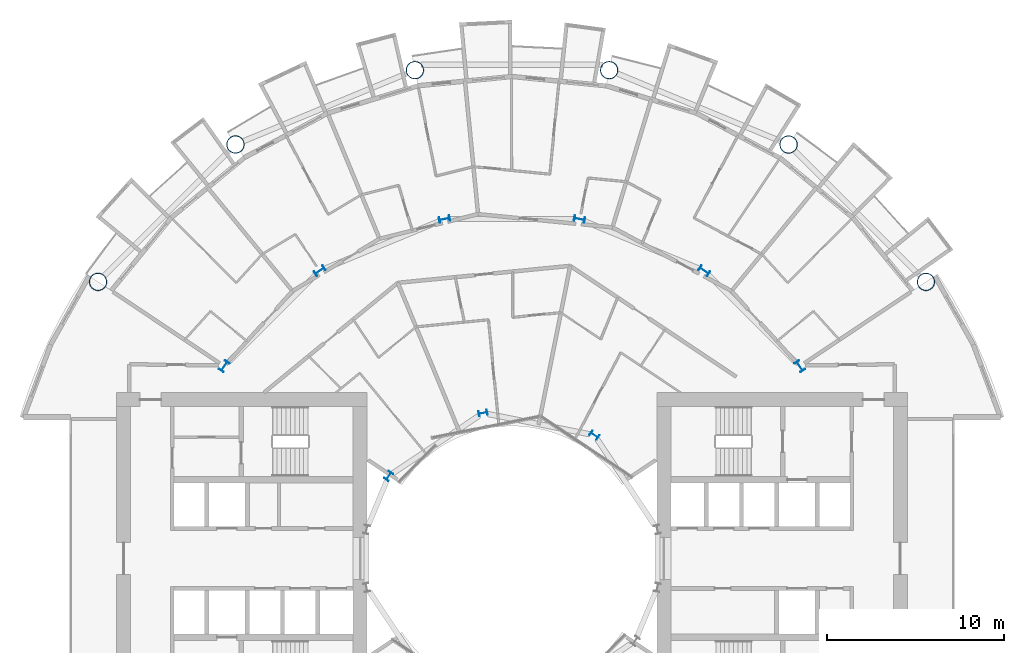
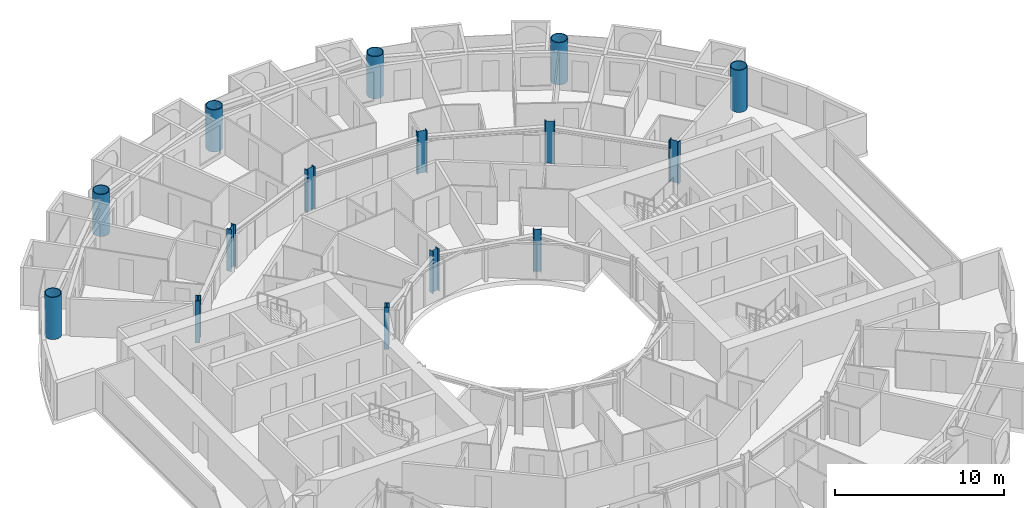
# One storey, part 3 of 26: 15 columns.
"""IFC4 building model written with IfcOpenShell, lengths in metres."""

from ifc_helpers import new_model, si_unit, direction, frame, origin, origin_2d, place, context, subcontext, project, spatial, hollow_circle, i_section, extrude, material, material_profile, profile_set, type_object, element, save


model = new_model("IFC4")

# Units and contexts
model_context = context("Model", 3, precision=1e-05, world=origin(), true_north=direction((0.0, 1.0)))
body_context = subcontext(model_context, "Body", "Model", "MODEL_VIEW")
ifc_project = project(units=[si_unit("LENGTHUNIT", "METRE"), si_unit("AREAUNIT", "SQUARE_METRE"), si_unit("VOLUMEUNIT", "CUBIC_METRE"), si_unit("PLANEANGLEUNIT", "RADIAN"), si_unit("MASSUNIT", "GRAM", prefix="KILO")], contexts=[model_context])

# Site, building, storey
site_placement = place(None, origin())
site = spatial("IfcSite", under=ifc_project, at=site_placement, CompositionType="ELEMENT")
building_placement = place(site_placement, origin())
building = spatial("IfcBuilding", under=site, at=building_placement, Name="Maasbend Ring Residences", CompositionType="ELEMENT")
storey_placement = place(building_placement, frame((0.0, 0.0, 22.800048828125)))
storey = spatial("IfcBuildingStorey", under=building, at=storey_placement, Name="L05", CompositionType="ELEMENT", Elevation=22.800048828125)

# Columns
ifc_material_1 = material(Name="Composite concrete-filled steel tube S460NH / C80/95", Category="concrete")
ifc_material_profile_1 = material_profile(ifc_material_1, hollow_circle(Radius=0.508056640625, WallThickness=0.050048828125, at=origin_2d()), Name="Composite tube column CHS 1016x50")
ifc_profile_set_1 = profile_set([ifc_material_profile_1], Name="Composite concrete-filled steel tube S460NH / C80/95")
column_type_1 = type_object("IfcColumnType", Name="Composite tube column CHS 1016x50", PredefinedType="COLUMN", material=ifc_profile_set_1)
for number, where, z_axis, x_axis, name in (
    (1, (23.447509765625, 15.6669921875, 0.0), (0.0, 0.0, 1.0), (1.0, 0.0, 0.0), "Outer column R2"),
    (2, (15.6669921875, 23.447509765625, 0.0), (0.0, 0.0, 1.0), (1.0, 0.0, 0.0), "Outer column R3"),
    (3, (5.50146484375, 27.658203125, 0.0), (0.0, 0.0, 1.0), (1.0, 0.0, 0.0), "Outer column R4"),
    (4, (-5.50146484375, 27.658203125, 0.0), (0.0, 0.0, 1.0), (1.0, 0.0, 0.0), "Outer column R5"),
    (5, (-15.6669921875, 23.447509765625, 0.0), (0.0, 0.0, 1.0), (1.0, 0.0, 0.0), "Outer column R6"),
    (6, (-23.447509765625, 15.6669921875, 0.0), (0.0, 0.0, 1.0), (1.0, 0.0, 0.0), "Outer column R7"),
):
    element("IfcColumn", number, at=place(storey_placement, frame(where, z_axis=z_axis, x_axis=x_axis)), inside=storey, type_object=column_type_1, Name=name, PredefinedType="COLUMN", context=body_context, shape_type="SweptSolid", body=[
        extrude(hollow_circle(Radius=0.508056640625, WallThickness=0.050048828125, at=origin_2d()), origin(), (0.0, 0.0, 1.0), 3.050048828125),
    ])
ifc_material_2 = material(Name="Steel S355J2", Category="steel")
ifc_material_profile_2 = material_profile(ifc_material_2, i_section(OverallWidth=0.300048828125, OverallDepth=0.5, WebThickness=0.014404296875, FlangeThickness=0.028076171875, FilletRadius=0.027099609375, at=origin_2d()), Name="HEB 500")
ifc_profile_set_2 = profile_set([ifc_material_profile_2], Name="Steel S355J2")
column_type_2 = type_object("IfcColumnType", Name="Steel column HEB 500", PredefinedType="COLUMN", material=ifc_profile_set_2)
for number, where, z_axis, x_axis, name in (
    (7, (4.666748046875, 6.984375, 0.0), (0.0, 0.0, 1.0), (0.55557023302, 0.831469612303, 0.0), "Well ring column R3"),
    (8, (-1.638916015625, 8.238525390625, 0.0), (0.0, 0.0, 1.0), (-0.195090322016, 0.980785280403, 0.0), "Well ring column R5"),
    (9, (-6.984375, 4.666748046875, 0.0), (0.0, 0.0, 1.0), (-0.831469612303, 0.55557023302, 0.0), "Well ring column R7"),
):
    element("IfcColumn", number, at=place(storey_placement, frame(where, z_axis=z_axis, x_axis=x_axis)), inside=storey, type_object=column_type_2, Name=name, PredefinedType="COLUMN", context=body_context, shape_type="SweptSolid", body=[
        extrude(i_section(OverallWidth=0.300048828125, OverallDepth=0.5, WebThickness=0.014404296875, FlangeThickness=0.028076171875, FilletRadius=0.027099609375, at=origin_2d()), origin(), (0.0, 0.0, 1.0), 3.050048828125),
    ])
ifc_material_3 = material(Name="Steel S460M", Category="steel")
ifc_material_profile_3 = material_profile(ifc_material_3, i_section(OverallWidth=0.304931640625, OverallDepth=0.6201171875, WebThickness=0.02099609375, FlangeThickness=0.0400390625, FilletRadius=0.027099609375, at=origin_2d()), Name="HEM 600")
ifc_profile_set_3 = profile_set([ifc_material_profile_3], Name="Steel S460M")
column_type_3 = type_object("IfcColumnType", Name="Steel column HEM 600", PredefinedType="COLUMN", material=ifc_profile_set_3)
for number, where, z_axis, x_axis, name in (
    (10, (16.296875, 10.88916015625, 0.0), (0.0, 0.0, 1.0), (0.831469612303, 0.55557023302, 0.0), "Corridor ring column R2"),
    (11, (10.88916015625, 16.296875, 0.0), (0.0, 0.0, 1.0), (0.55557023302, 0.831469612303, 0.0), "Corridor ring column R3"),
    (12, (3.82373046875, 19.223388671875, 0.0), (0.0, 0.0, 1.0), (0.195090322016, 0.980785280403, 0.0), "Corridor ring column R4"),
    (13, (-3.82373046875, 19.223388671875, 0.0), (0.0, 0.0, 1.0), (-0.195090322016, 0.980785280403, 0.0), "Corridor ring column R5"),
    (14, (-10.88916015625, 16.296875, 0.0), (0.0, 0.0, 1.0), (-0.55557023302, 0.831469612303, 0.0), "Corridor ring column R6"),
    (15, (-16.296875, 10.88916015625, 0.0), (0.0, 0.0, 1.0), (-0.831469612303, 0.55557023302, 0.0), "Corridor ring column R7"),
):
    element("IfcColumn", number, at=place(storey_placement, frame(where, z_axis=z_axis, x_axis=x_axis)), inside=storey, type_object=column_type_3, Name=name, PredefinedType="COLUMN", context=body_context, shape_type="SweptSolid", body=[
        extrude(i_section(OverallWidth=0.304931640625, OverallDepth=0.6201171875, WebThickness=0.02099609375, FlangeThickness=0.0400390625, FilletRadius=0.027099609375, at=origin_2d()), origin(), (0.0, 0.0, 1.0), 3.050048828125),
    ])

save(model, "model.ifc")
